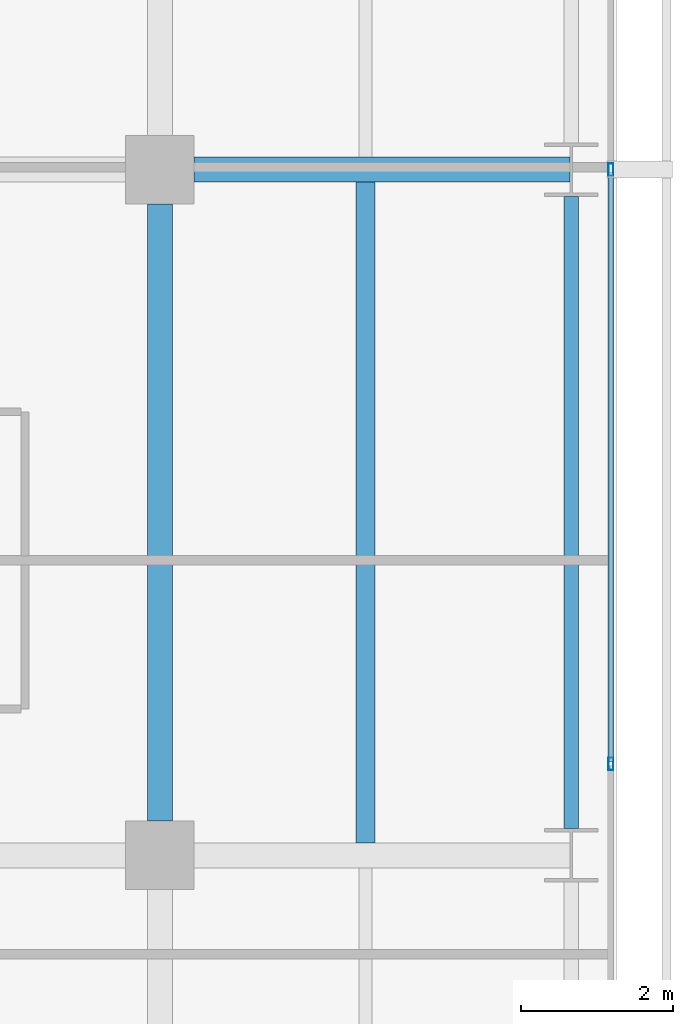
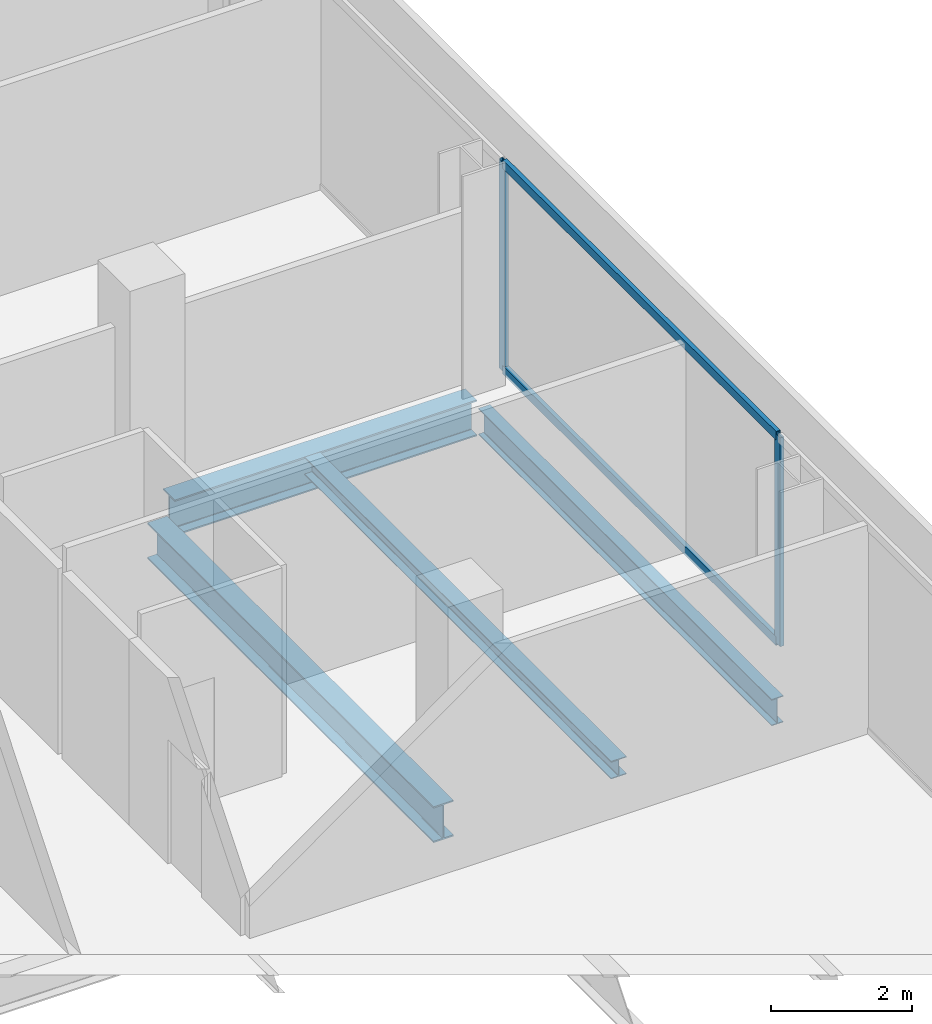
# One storey, part 19 of 40: 4 beams, 4 members, 1 element without a shape of its own.
"""IFC4 building model written with IfcOpenShell, lengths in metres."""

from ifc_helpers import new_model, si_unit, direction, frame, origin, origin_2d, place, context, subcontext, project, spatial, hollow_rectangle, i_section, extrude, material, layer, layer_set, material_profile, profile_set, type_object, element, aggregate, save


model = new_model("IFC4")

# Units and contexts
model_context = context("Model", 3, precision=1e-05, world=origin(), true_north=direction((0.0, 1.0)))
body_context = subcontext(model_context, "Body", "Model", "MODEL_VIEW")
ifc_project = project(units=[si_unit("LENGTHUNIT", "METRE"), si_unit("AREAUNIT", "SQUARE_METRE"), si_unit("VOLUMEUNIT", "CUBIC_METRE"), si_unit("PLANEANGLEUNIT", "RADIAN"), si_unit("MASSUNIT", "GRAM", prefix="KILO")], contexts=[model_context])

# Site, building, storey
site_placement = place(None, origin())
site = spatial("IfcSite", under=ifc_project, at=site_placement, CompositionType="ELEMENT")
building_placement = place(site_placement, origin())
building = spatial("IfcBuilding", under=site, at=building_placement, Name="Maruvema Waterfront Hotel and Observation Tower", CompositionType="ELEMENT")
storey_placement = place(building_placement, frame((0.0, 0.0, 50.050048828125)))
storey = spatial("IfcBuildingStorey", under=building, at=storey_placement, Name="L11", CompositionType="ELEMENT", Elevation=50.050048828125)

# Curtain wall, members
ifc_material_1 = material(Name="Anodised bronze aluminium and solar-control low-E IGU", Category="aluminium")
ifc_layer = layer(ifc_material_1, 0.159912109375, Name="Zone 1 Bronze Inner Thermal Curtain Wall System CW-02")
ifc_layer_set = layer_set([ifc_layer], Name="Anodised bronze aluminium and solar-control low-E IGU")
curtain_wall_type = type_object("IfcCurtainWallType", Name="Zone 1 Bronze Inner Thermal Curtain Wall System CW-02", PredefinedType="USERDEFINED", material=ifc_layer_set)
curtain_wall_placement = place(storey_placement, origin())
curtain_wall = element("IfcCurtainWall", 1, at=curtain_wall_placement, inside=storey, type_object=curtain_wall_type, Name="L11 Curtain Wall CW-L11-E", ObjectType="UNITISED CURTAIN WALL", PredefinedType="USERDEFINED")
ifc_material_2 = material(Name="Anodised architectural bronze aluminium", Category="aluminium")
ifc_material_profile_1 = material_profile(ifc_material_2, hollow_rectangle(XDim=0.070068359375, YDim=0.14990234375, WallThickness=0.00390625, at=origin_2d()), Name="ALU-T70x150")
ifc_profile_set_1 = profile_set([ifc_material_profile_1], Name="Anodised architectural bronze aluminium")
member_type_1 = type_object("IfcMemberType", Name="Curtain Wall Horizontal Transom ALU-T70x150", PredefinedType="USERDEFINED", material=ifc_profile_set_1)
member_1_placement = place(storey_placement, frame((64.719970703125, 19.22998046875, 0.030029296875), z_axis=(0.0, 1.0, 0.0), x_axis=(-1.0, 0.0, 0.0)))
member_1 = element("IfcMember", 2, at=member_1_placement, type_object=member_type_1, Name="CW-02 transom 3.1", ObjectType="TRANSOM", PredefinedType="USERDEFINED", context=body_context, shape_type="SweptSolid", body=[
    extrude(hollow_rectangle(XDim=0.070068359375, YDim=0.14990234375, WallThickness=0.00390625, at=origin_2d()), origin(), (0.0, 0.0, 1.0), 7.739990234375),
])
member_2_placement = place(storey_placement, frame((64.719970703125, 19.22998046875, 3.579833984375), z_axis=(0.0, 1.0, 0.0), x_axis=(-1.0, 0.0, 0.0)))
member_2 = element("IfcMember", 3, at=member_2_placement, type_object=member_type_1, Name="CW-02 transom 3.2", ObjectType="TRANSOM", PredefinedType="USERDEFINED", context=body_context, shape_type="SweptSolid", body=[
    extrude(hollow_rectangle(XDim=0.070068359375, YDim=0.14990234375, WallThickness=0.00390625, at=origin_2d()), origin(), (0.0, 0.0, 1.0), 7.739990234375),
])
ifc_material_3 = material(Name="Anodised architectural bronze aluminium", Category="aluminium")
ifc_material_profile_2 = material_profile(ifc_material_3, hollow_rectangle(XDim=0.06494140625, YDim=0.1650390625, WallThickness=0.00390625, at=origin_2d()), Name="ALU-M65x165")
ifc_profile_set_2 = profile_set([ifc_material_profile_2], Name="Anodised architectural bronze aluminium")
member_type_2 = type_object("IfcMemberType", Name="Curtain Wall Primary Mullion ALU-M65x165", PredefinedType="MULLION", material=ifc_profile_set_2)
member_3_placement = place(storey_placement, frame((64.719970703125, 19.199951171875, 0.0), z_axis=(0.0, 0.0, 1.0), x_axis=(-1.0, 0.0, 0.0)))
member_3 = element("IfcMember", 4, at=member_3_placement, type_object=member_type_2, Name="CW-02 mullion 3", PredefinedType="MULLION", context=body_context, shape_type="SweptSolid", body=[
    extrude(hollow_rectangle(XDim=0.06494140625, YDim=0.1650390625, WallThickness=0.00390625, at=origin_2d()), origin(), (0.0, 0.0, 1.0), 3.60986328125),
])
member_4_placement = place(storey_placement, frame((64.719970703125, 27.0, 0.0), z_axis=(0.0, 0.0, 1.0), x_axis=(-1.0, 0.0, 0.0)))
member_4 = element("IfcMember", 5, at=member_4_placement, type_object=member_type_2, Name="CW-02 mullion 4", PredefinedType="MULLION", context=body_context, shape_type="SweptSolid", body=[
    extrude(hollow_rectangle(XDim=0.06494140625, YDim=0.1650390625, WallThickness=0.00390625, at=origin_2d()), origin(), (0.0, 0.0, 1.0), 3.60986328125),
])
aggregate(curtain_wall, [member_3, member_4, member_1, member_2])

# Beams
ifc_material_4 = material(Name="Steel ASTM A572 Grade 50", Category="steel")
ifc_material_profile_3 = material_profile(ifc_material_4, i_section(OverallWidth=0.18994140625, OverallDepth=0.45703125, WebThickness=0.009033203125, FlangeThickness=0.014404296875, FilletRadius=0.014892578125, at=origin_2d()), Name="W460x74.0")
ifc_profile_set_3 = profile_set([ifc_material_profile_3], Name="Steel ASTM A572 Grade 50")
beam_type_1 = type_object("IfcBeamType", Name="Perimeter Spandrel Beam W460x74.0", PredefinedType="SPANDREL", material=ifc_profile_set_3)
beam_1_placement = place(storey_placement, frame((64.199951171875, 18.35009765625, -0.468505859375), z_axis=(0.0, 1.0, 0.0), x_axis=(-1.0, 0.0, 0.0)))
element("IfcBeam", 6, at=beam_1_placement, inside=storey, type_object=beam_type_1, Name="L11 Floor Girder NS-34", PredefinedType="SPANDREL", context=body_context, shape_type="SweptSolid", body=[
    extrude(i_section(OverallWidth=0.18994140625, OverallDepth=0.45703125, WebThickness=0.009033203125, FlangeThickness=0.014404296875, FilletRadius=0.014892578125, at=origin_2d()), origin(), (0.0, 0.0, 1.0), 8.2998046875),
])
ifc_material_5 = material(Name="Steel ASTM A572 Grade 50", Category="steel")
ifc_material_profile_4 = material_profile(ifc_material_5, i_section(OverallWidth=0.326904296875, OverallDepth=0.6220703125, WebThickness=0.015380859375, FlangeThickness=0.0244140625, FilletRadius=0.01806640625, at=origin_2d()), Name="W610x195.0")
ifc_profile_set_4 = profile_set([ifc_material_profile_4], Name="Steel ASTM A572 Grade 50")
beam_type_2 = type_object("IfcBeamType", Name="Primary Floor Girder W610x195.0", PredefinedType="BEAM", material=ifc_profile_set_4)
beam_2_placement = place(storey_placement, frame((59.25, 27.0, -0.551025390625), z_axis=(1.0, 0.0, 0.0), x_axis=(0.0, 1.0, 0.0)))
element("IfcBeam", 7, at=beam_2_placement, inside=storey, type_object=beam_type_2, Name="L11 Floor Girder EW-24", PredefinedType="BEAM", context=body_context, shape_type="SweptSolid", body=[
    extrude(i_section(OverallWidth=0.326904296875, OverallDepth=0.6220703125, WebThickness=0.015380859375, FlangeThickness=0.0244140625, FilletRadius=0.01806640625, at=origin_2d()), origin(), (0.0, 0.0, 1.0), 4.93603515625),
])
beam_3_placement = place(storey_placement, frame((58.800048828125, 18.449951171875, -0.551025390625), z_axis=(0.0, 1.0, 0.0), x_axis=(-1.0, 0.0, 0.0)))
element("IfcBeam", 8, at=beam_3_placement, inside=storey, type_object=beam_type_2, Name="L11 Floor Girder NS-29", PredefinedType="BEAM", context=body_context, shape_type="SweptSolid", body=[
    extrude(i_section(OverallWidth=0.326904296875, OverallDepth=0.6220703125, WebThickness=0.015380859375, FlangeThickness=0.0244140625, FilletRadius=0.01806640625, at=origin_2d()), origin(), (0.0, 0.0, 1.0), 8.10009765625),
])
ifc_material_6 = material(Name="Steel ASTM A572 Grade 50", Category="steel")
ifc_material_profile_5 = material_profile(ifc_material_6, i_section(OverallWidth=0.25390625, OverallDepth=0.305908203125, WebThickness=0.0087890625, FlangeThickness=0.0146484375, FilletRadius=0.014892578125, at=origin_2d()), Name="W310x79.0")
ifc_profile_set_5 = profile_set([ifc_material_profile_5], Name="Steel ASTM A572 Grade 50")
beam_type_3 = type_object("IfcBeamType", Name="Secondary Floor Joist W310x79.0", PredefinedType="JOIST", material=ifc_profile_set_5)
beam_4_placement = place(storey_placement, frame((61.5, 18.16357421875, -0.39306640625), z_axis=(0.0, 1.0, 0.0), x_axis=(-1.0, 0.0, 0.0)))
element("IfcBeam", 9, at=beam_4_placement, inside=storey, type_object=beam_type_3, Name="L11 Secondary Floor Joist JS-22", PredefinedType="JOIST", context=body_context, shape_type="SweptSolid", body=[
    extrude(i_section(OverallWidth=0.25390625, OverallDepth=0.305908203125, WebThickness=0.0087890625, FlangeThickness=0.0146484375, FilletRadius=0.014892578125, at=origin_2d()), origin(), (0.0, 0.0, 1.0), 8.6728515625),
])

save(model, "model.ifc")
